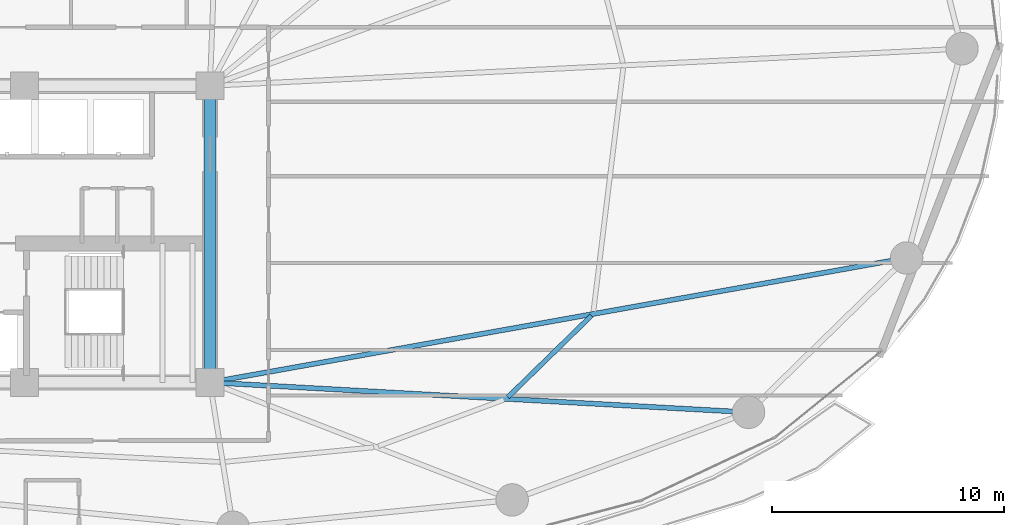
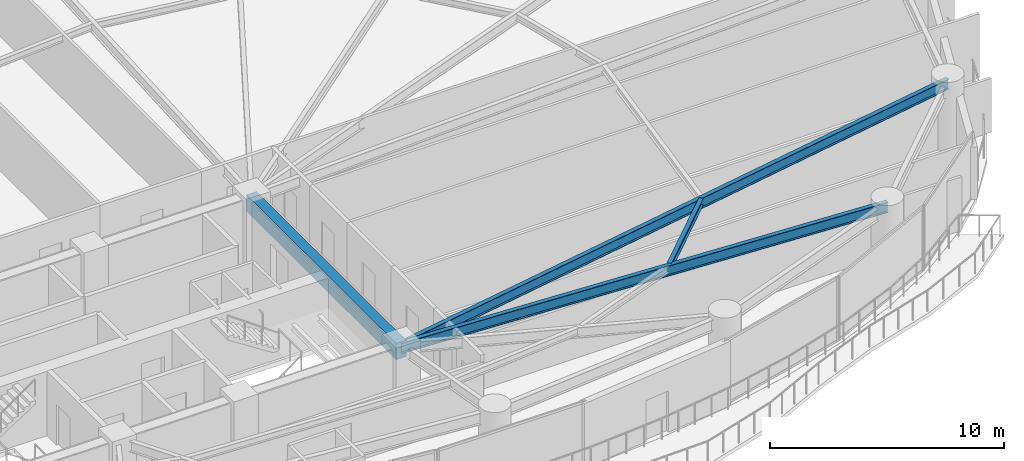
# One storey, part 13 of 30: 4 beams.
"""IFC4 building model written with IfcOpenShell, lengths in metres."""

from ifc_helpers import new_model, si_unit, direction, frame, origin, origin_2d, place, context, subcontext, project, spatial, rectangle, i_section, extrude, material, material_profile, profile_set, type_object, element, save


model = new_model("IFC4")

# Units and contexts
model_context = context("Model", 3, precision=1e-05, world=origin(), true_north=direction((0.0, 1.0)))
body_context = subcontext(model_context, "Body", "Model", "MODEL_VIEW")
ifc_project = project(units=[si_unit("LENGTHUNIT", "METRE"), si_unit("AREAUNIT", "SQUARE_METRE"), si_unit("VOLUMEUNIT", "CUBIC_METRE"), si_unit("PLANEANGLEUNIT", "RADIAN"), si_unit("MASSUNIT", "GRAM", prefix="KILO")], contexts=[model_context])

# Site, building, storey
site_placement = place(None, origin())
site = spatial("IfcSite", under=ifc_project, at=site_placement, CompositionType="ELEMENT")
building_placement = place(site_placement, origin())
building = spatial("IfcBuilding", under=site, at=building_placement, Name="Kazevale Care Tower and Concert Hall", CompositionType="ELEMENT")
storey_placement = place(building_placement, frame((0.0, 0.0, 70.800048828125)))
storey = spatial("IfcBuildingStorey", under=building, at=storey_placement, Name="L18", CompositionType="ELEMENT", Elevation=70.800048828125)

# Beams
ifc_material_1 = material(Name="Concrete C60", Category="concrete")
ifc_material_profile_1 = material_profile(ifc_material_1, rectangle(XDim=0.5, YDim=0.85009765625, at=origin_2d()), Name="RC-B500x850")
ifc_profile_set_1 = profile_set([ifc_material_profile_1], Name="Concrete C60")
beam_type_1 = type_object("IfcBeamType", Name="Core Coupling Beam RC500x850", PredefinedType="LINTEL", material=ifc_profile_set_1)
beam_1_placement = place(storey_placement, frame((44.0, 23.60009765625, 2.93505859375), z_axis=(0.0, 1.0, 0.0), x_axis=(-1.0, 0.0, 0.0)))
element("IfcBeam", 1, at=beam_1_placement, inside=storey, type_object=beam_type_1, Name="beam:L18:coretie:4", PredefinedType="LINTEL", context=body_context, shape_type="SweptSolid", body=[
    extrude(rectangle(XDim=0.5, YDim=0.85009765625, at=origin_2d()), origin(), (0.0, 0.0, 1.0), 12.7998046875),
])
ifc_material_2 = material(Name="Steel ASTM A572 Gr 50", Category="steel")
ifc_material_profile_2 = material_profile(ifc_material_2, i_section(OverallWidth=0.2119140625, OverallDepth=0.5439453125, WebThickness=0.01318359375, FlangeThickness=0.021240234375, at=origin_2d()), Name="W530x123")
ifc_profile_set_2 = profile_set([ifc_material_profile_2], Name="Steel ASTM A572 Gr 50")
beam_type_2 = type_object("IfcBeamType", Name="Radial Floor Girder W530x123", PredefinedType="BEAM", material=ifc_profile_set_2)
beam_2_placement = place(storey_placement, frame((44.0, 23.60009765625, 3.087890625), z_axis=(0.998462901796, -0.055424125948, 0.0), x_axis=(0.055424125948, 0.998462901796, 0.0)))
element("IfcBeam", 2, at=beam_2_placement, inside=storey, type_object=beam_type_2, Name="beam:L18:rad:15", PredefinedType="BEAM", context=body_context, shape_type="SweptSolid", body=[
    extrude(i_section(OverallWidth=0.2119140625, OverallDepth=0.5439453125, WebThickness=0.01318359375, FlangeThickness=0.021240234375, at=origin_2d()), origin(), (0.0, 0.0, 1.0), 23.27587890625),
])
beam_3_placement = place(storey_placement, frame((44.0, 23.60009765625, 3.087890625), z_axis=(0.984416208219, 0.175854283415, 0.0), x_axis=(-0.175854283415, 0.984416208219, 0.0)))
element("IfcBeam", 3, at=beam_3_placement, inside=storey, type_object=beam_type_2, Name="beam:L18:rad:16", PredefinedType="BEAM", context=body_context, shape_type="SweptSolid", body=[
    extrude(i_section(OverallWidth=0.2119140625, OverallDepth=0.5439453125, WebThickness=0.01318359375, FlangeThickness=0.021240234375, at=origin_2d()), origin(), (0.0, 0.0, 1.0), 30.535888671875),
])
ifc_material_profile_3 = material_profile(ifc_material_2, i_section(OverallWidth=0.205078125, OverallDepth=0.35400390625, WebThickness=0.009521484375, FlangeThickness=0.016845703125, at=origin_2d()), Name="W360x79")
ifc_profile_set_3 = profile_set([ifc_material_profile_3], Name="Steel ASTM A572 Gr 50")
beam_type_3 = type_object("IfcBeamType", Name="Secondary Floor Joist W360x79", PredefinedType="JOIST", material=ifc_profile_set_3)
beam_4_placement = place(storey_placement, frame((56.85693359375, 22.964111328125, 3.182861328125), z_axis=(0.715521089339, 0.698591132717, 0.0), x_axis=(-0.698591132717, 0.715521089339, 0.0)))
element("IfcBeam", 4, at=beam_4_placement, inside=storey, type_object=beam_type_3, Name="beam:L18:joist:15", PredefinedType="JOIST", context=body_context, shape_type="SweptSolid", body=[
    extrude(i_section(OverallWidth=0.205078125, OverallDepth=0.35400390625, WebThickness=0.009521484375, FlangeThickness=0.016845703125, at=origin_2d()), origin(), (0.0, 0.0, 1.0), 5.03271484375),
])

save(model, "model.ifc")
